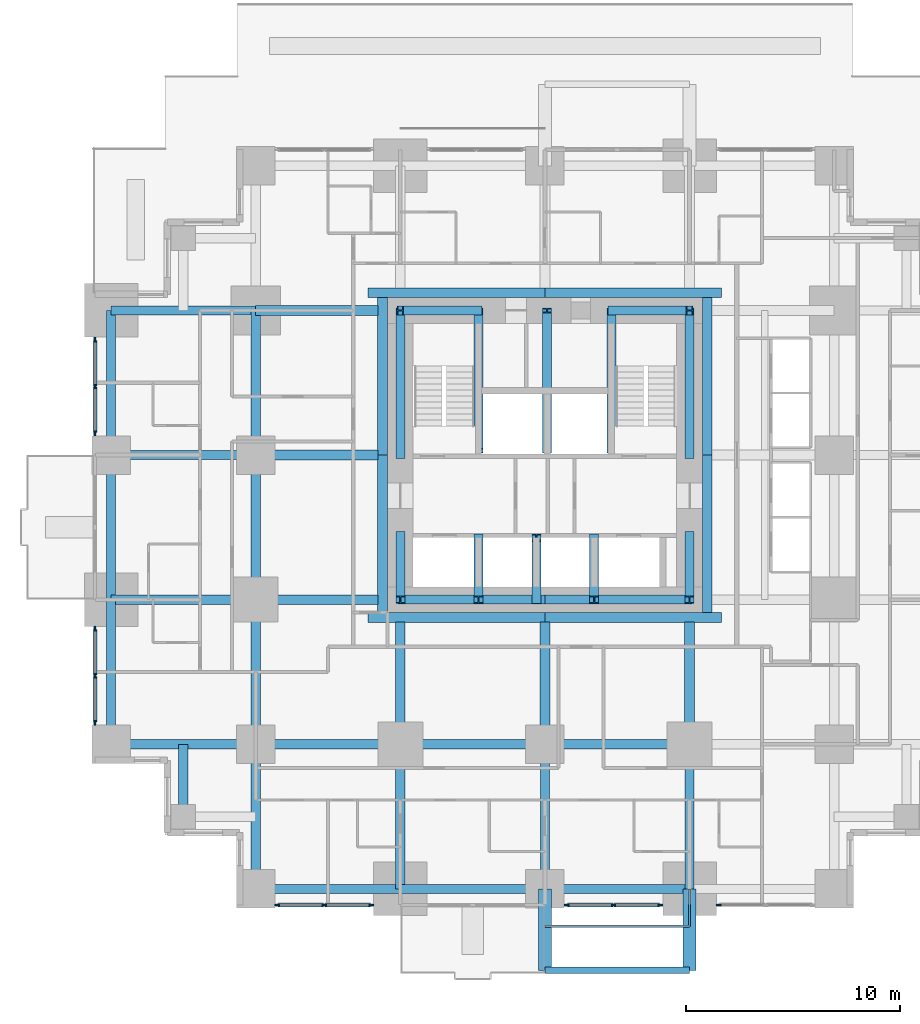
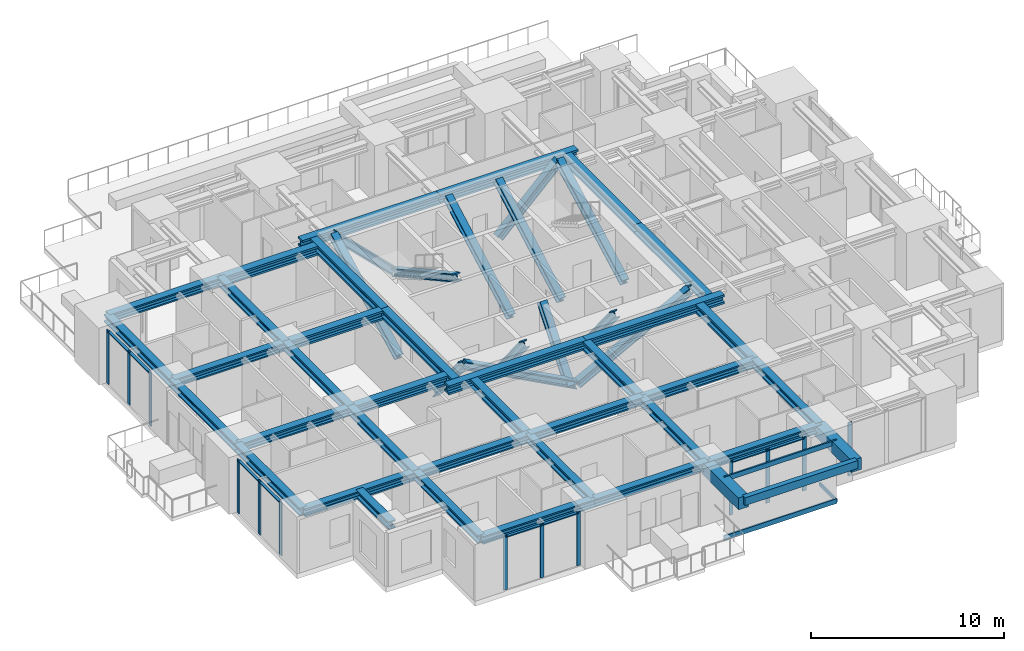
# One storey, part 2 of 12: 38 beams, 38 members, 5 elements without a shape of their own.
"""IFC4 building model written with IfcOpenShell, lengths in metres."""

from ifc_helpers import new_model, si_unit, direction, frame, origin, origin_2d, place, context, subcontext, project, spatial, rectangle, hollow_rectangle, i_section, extrude, material, material_profile, profile_set, type_object, element, aggregate, save


model = new_model("IFC4")

# Units and contexts
model_context = context("Model", 3, precision=1e-05, world=origin(), true_north=direction((0.0, 1.0)))
body_context = subcontext(model_context, "Body", "Model", "MODEL_VIEW")
ifc_project = project(units=[si_unit("LENGTHUNIT", "METRE"), si_unit("AREAUNIT", "SQUARE_METRE"), si_unit("VOLUMEUNIT", "CUBIC_METRE"), si_unit("PLANEANGLEUNIT", "RADIAN"), si_unit("MASSUNIT", "GRAM", prefix="KILO")], contexts=[model_context])

# Site, building, storey
site_placement = place(None, origin())
site = spatial("IfcSite", under=ifc_project, at=site_placement, CompositionType="ELEMENT")
building_placement = place(site_placement, origin())
building = spatial("IfcBuilding", under=site, at=building_placement, Name="Nyansa Garden Tower", CompositionType="ELEMENT")
storey_placement = place(building_placement, frame((0.0, 0.0, 80.10009765625)))
storey = spatial("IfcBuildingStorey", under=building, at=storey_placement, Name="L21", CompositionType="ELEMENT", Elevation=80.10009765625)

# Beams
ifc_material_1 = material(Name="Concrete C70/85", Category="concrete")
ifc_material_profile_1 = material_profile(ifc_material_1, rectangle(XDim=0.60009765625, YDim=0.75, at=origin_2d()), Name="RC 600x750")
ifc_profile_set_1 = profile_set([ifc_material_profile_1], Name="Concrete C70/85")
beam_type_1 = type_object("IfcBeamType", Name="Balcony cantilever beam CB1 RC 600x750", PredefinedType="BEAM", material=ifc_profile_set_1)
for number, where, z_axis, x_axis, name in (
    (1, (20.25, 0.0, 2.98486328125), (0.0, -1.0, 0.0), (1.0, 0.0, 0.0), "Balcony cantilever beam L22"),
    (2, (27.0, 0.0, 2.98486328125), (0.0, -1.0, 0.0), (1.0, 0.0, 0.0), "Balcony cantilever beam L22"),
):
    element("IfcBeam", number, at=place(storey_placement, frame(where, z_axis=z_axis, x_axis=x_axis)), inside=storey, type_object=beam_type_1, Name=name, PredefinedType="BEAM", context=body_context, shape_type="SweptSolid", body=[
        extrude(rectangle(XDim=0.60009765625, YDim=0.75, at=origin_2d()), origin(), (0.0, 0.0, 1.0), 3.800048828125),
    ])
ifc_material_2 = material(Name="Concrete C70/85", Category="concrete")
ifc_material_profile_2 = material_profile(ifc_material_2, rectangle(XDim=0.300048828125, YDim=0.5, at=origin_2d()), Name="RC 300x500")
ifc_profile_set_2 = profile_set([ifc_material_profile_2], Name="Concrete C70/85")
beam_type_2 = type_object("IfcBeamType", Name="Balcony edge beam BE1 RC 300x500", PredefinedType="BEAM", material=ifc_profile_set_2)
beam_1_placement = place(storey_placement, frame((20.25, -3.800048828125, 3.10986328125), z_axis=(1.0, 0.0, 0.0), x_axis=(0.0, 1.0, 0.0)))
element("IfcBeam", 3, at=beam_1_placement, inside=storey, type_object=beam_type_2, Name="Balcony edge beam L22", PredefinedType="BEAM", context=body_context, shape_type="SweptSolid", body=[
    extrude(rectangle(XDim=0.300048828125, YDim=0.5, at=origin_2d()), origin(), (0.0, 0.0, 1.0), 6.75),
])

# Curtain wall, members
ifc_material_3 = material(Name="Black anodised aluminium, dark tinted double glazing", Category="aluminium")
curtain_wall_type = type_object("IfcCurtainWallType", Name="Inner skin curtain wall ISW-B", PredefinedType="USERDEFINED", material=ifc_material_3)
curtain_wall_1_placement = place(storey_placement, origin())
curtain_wall_1 = element("IfcCurtainWall", 4, at=curtain_wall_1_placement, inside=storey, type_object=curtain_wall_type, Name="Inner skin curtain wall L21 W", ObjectType="UNITISED CURTAIN WALL", PredefinedType="USERDEFINED")
ifc_material_4 = material(Name="Black anodised aluminium", Category="aluminium")
ifc_material_profile_3 = material_profile(ifc_material_4, rectangle(XDim=0.06494140625, YDim=0.22509765625, at=origin_2d()), Name="Mullion 225x65")
ifc_profile_set_3 = profile_set([ifc_material_profile_3], Name="Black anodised aluminium")
member_type_1 = type_object("IfcMemberType", Name="Mullion ISW-B 225x65", PredefinedType="MULLION", material=ifc_profile_set_3)
member_1_placement = place(storey_placement, frame((-0.75, 12.137451171875, 0.0), z_axis=(0.0, 0.0, 1.0), x_axis=(1.0, 0.0, 0.0)))
member_1 = element("IfcMember", 5, at=member_1_placement, type_object=member_type_1, Name="ISW-B mullion 1", PredefinedType="MULLION", context=body_context, shape_type="SweptSolid", body=[
    extrude(rectangle(XDim=0.06494140625, YDim=0.22509765625, at=origin_2d()), origin(), (0.0, 0.0, 1.0), 3.375),
])
member_2_placement = place(storey_placement, frame((-0.75, 9.949951171875, 0.0), z_axis=(0.0, 0.0, 1.0), x_axis=(1.0, 0.0, 0.0)))
member_2 = element("IfcMember", 6, at=member_2_placement, type_object=member_type_1, Name="ISW-B mullion 2", PredefinedType="MULLION", context=body_context, shape_type="SweptSolid", body=[
    extrude(rectangle(XDim=0.06494140625, YDim=0.22509765625, at=origin_2d()), origin(), (0.0, 0.0, 1.0), 3.375),
])
member_3_placement = place(storey_placement, frame((-0.75, 7.762451171875, 0.0), z_axis=(0.0, 0.0, 1.0), x_axis=(1.0, 0.0, 0.0)))
member_3 = element("IfcMember", 7, at=member_3_placement, type_object=member_type_1, Name="ISW-B mullion 3", PredefinedType="MULLION", context=body_context, shape_type="SweptSolid", body=[
    extrude(rectangle(XDim=0.06494140625, YDim=0.22509765625, at=origin_2d()), origin(), (0.0, 0.0, 1.0), 3.375),
])

curtain_wall_2_placement = place(storey_placement, origin())
curtain_wall_2 = element("IfcCurtainWall", 8, at=curtain_wall_2_placement, inside=storey, type_object=curtain_wall_type, Name="Inner skin curtain wall L21 W", ObjectType="UNITISED CURTAIN WALL", PredefinedType="USERDEFINED")
member_4_placement = place(storey_placement, frame((-0.75, 25.637451171875, 0.0), z_axis=(0.0, 0.0, 1.0), x_axis=(1.0, 0.0, 0.0)))
member_4 = element("IfcMember", 9, at=member_4_placement, type_object=member_type_1, Name="ISW-B mullion 1", PredefinedType="MULLION", context=body_context, shape_type="SweptSolid", body=[
    extrude(rectangle(XDim=0.06494140625, YDim=0.22509765625, at=origin_2d()), origin(), (0.0, 0.0, 1.0), 3.375),
])
member_5_placement = place(storey_placement, frame((-0.75, 23.449951171875, 0.0), z_axis=(0.0, 0.0, 1.0), x_axis=(1.0, 0.0, 0.0)))
member_5 = element("IfcMember", 10, at=member_5_placement, type_object=member_type_1, Name="ISW-B mullion 2", PredefinedType="MULLION", context=body_context, shape_type="SweptSolid", body=[
    extrude(rectangle(XDim=0.06494140625, YDim=0.22509765625, at=origin_2d()), origin(), (0.0, 0.0, 1.0), 3.375),
])
member_6_placement = place(storey_placement, frame((-0.75, 21.262451171875, 0.0), z_axis=(0.0, 0.0, 1.0), x_axis=(1.0, 0.0, 0.0)))
member_6 = element("IfcMember", 11, at=member_6_placement, type_object=member_type_1, Name="ISW-B mullion 3", PredefinedType="MULLION", context=body_context, shape_type="SweptSolid", body=[
    extrude(rectangle(XDim=0.06494140625, YDim=0.22509765625, at=origin_2d()), origin(), (0.0, 0.0, 1.0), 3.375),
])

curtain_wall_3_placement = place(storey_placement, origin())
curtain_wall_3 = element("IfcCurtainWall", 12, at=curtain_wall_3_placement, inside=storey, type_object=curtain_wall_type, Name="Inner skin curtain wall L21 S", ObjectType="UNITISED CURTAIN WALL", PredefinedType="USERDEFINED")
member_7_placement = place(storey_placement, frame((7.762451171875, -0.75, 0.0), z_axis=(0.0, 0.0, 1.0), x_axis=(0.0, 1.0, 0.0)))
member_7 = element("IfcMember", 13, at=member_7_placement, type_object=member_type_1, Name="ISW-B mullion 1", PredefinedType="MULLION", context=body_context, shape_type="SweptSolid", body=[
    extrude(rectangle(XDim=0.06494140625, YDim=0.22509765625, at=origin_2d()), origin(), (0.0, 0.0, 1.0), 3.375),
])
member_8_placement = place(storey_placement, frame((9.949951171875, -0.75, 0.0), z_axis=(0.0, 0.0, 1.0), x_axis=(0.0, 1.0, 0.0)))
member_8 = element("IfcMember", 14, at=member_8_placement, type_object=member_type_1, Name="ISW-B mullion 2", PredefinedType="MULLION", context=body_context, shape_type="SweptSolid", body=[
    extrude(rectangle(XDim=0.06494140625, YDim=0.22509765625, at=origin_2d()), origin(), (0.0, 0.0, 1.0), 3.375),
])
member_9_placement = place(storey_placement, frame((12.137451171875, -0.75, 0.0), z_axis=(0.0, 0.0, 1.0), x_axis=(0.0, 1.0, 0.0)))
member_9 = element("IfcMember", 15, at=member_9_placement, type_object=member_type_1, Name="ISW-B mullion 3", PredefinedType="MULLION", context=body_context, shape_type="SweptSolid", body=[
    extrude(rectangle(XDim=0.06494140625, YDim=0.22509765625, at=origin_2d()), origin(), (0.0, 0.0, 1.0), 3.375),
])

curtain_wall_4_placement = place(storey_placement, origin())
curtain_wall_4 = element("IfcCurtainWall", 16, at=curtain_wall_4_placement, inside=storey, type_object=curtain_wall_type, Name="Inner skin curtain wall L21 S", ObjectType="UNITISED CURTAIN WALL", PredefinedType="USERDEFINED")
member_10_placement = place(storey_placement, frame((21.262451171875, -0.75, 0.0), z_axis=(0.0, 0.0, 1.0), x_axis=(0.0, 1.0, 0.0)))
member_10 = element("IfcMember", 17, at=member_10_placement, type_object=member_type_1, Name="ISW-B mullion 1", PredefinedType="MULLION", context=body_context, shape_type="SweptSolid", body=[
    extrude(rectangle(XDim=0.06494140625, YDim=0.22509765625, at=origin_2d()), origin(), (0.0, 0.0, 1.0), 3.375),
])
member_11_placement = place(storey_placement, frame((23.449951171875, -0.75, 0.0), z_axis=(0.0, 0.0, 1.0), x_axis=(0.0, 1.0, 0.0)))
member_11 = element("IfcMember", 18, at=member_11_placement, type_object=member_type_1, Name="ISW-B mullion 2", PredefinedType="MULLION", context=body_context, shape_type="SweptSolid", body=[
    extrude(rectangle(XDim=0.06494140625, YDim=0.22509765625, at=origin_2d()), origin(), (0.0, 0.0, 1.0), 3.375),
])
member_12_placement = place(storey_placement, frame((25.637451171875, -0.75, 0.0), z_axis=(0.0, 0.0, 1.0), x_axis=(0.0, 1.0, 0.0)))
member_12 = element("IfcMember", 19, at=member_12_placement, type_object=member_type_1, Name="ISW-B mullion 3", PredefinedType="MULLION", context=body_context, shape_type="SweptSolid", body=[
    extrude(rectangle(XDim=0.06494140625, YDim=0.22509765625, at=origin_2d()), origin(), (0.0, 0.0, 1.0), 3.375),
])

# Curtain wall, member
curtain_wall_5_placement = place(storey_placement, origin())
curtain_wall_5 = element("IfcCurtainWall", 20, at=curtain_wall_5_placement, inside=storey, type_object=curtain_wall_type, Name="Inner skin curtain wall L21 S", ObjectType="UNITISED CURTAIN WALL", PredefinedType="USERDEFINED")
member_13_placement = place(storey_placement, frame((28.362548828125, -0.75, 0.0), z_axis=(0.0, 0.0, 1.0), x_axis=(0.0, 1.0, 0.0)))
member_13 = element("IfcMember", 21, at=member_13_placement, type_object=member_type_1, Name="ISW-B mullion 1", PredefinedType="MULLION", context=body_context, shape_type="SweptSolid", body=[
    extrude(rectangle(XDim=0.06494140625, YDim=0.22509765625, at=origin_2d()), origin(), (0.0, 0.0, 1.0), 3.375),
])
aggregate(curtain_wall_5, [member_13])

# Members
ifc_material_5 = material(Name="Steel S355, black powder coated", Category="steel")
ifc_material_profile_4 = material_profile(ifc_material_5, hollow_rectangle(XDim=0.10009765625, YDim=0.199951171875, WallThickness=0.008056640625, at=origin_2d()), Name="RHS 200x100x8")
ifc_profile_set_4 = profile_set([ifc_material_profile_4], Name="Steel S355, black powder coated")
member_type_2 = type_object("IfcMemberType", Name="Outer skin bracket arm RHS 200x100x8", PredefinedType="USERDEFINED", material=ifc_profile_set_4)
member_14_placement = place(storey_placement, frame((27.0, 0.0, -0.5), z_axis=(0.0, -1.0, 0.0), x_axis=(1.0, 0.0, 0.0)))
element("IfcMember", 22, at=member_14_placement, inside=storey, type_object=member_type_2, Name="Outer skin bracket arm", ObjectType="OUTER SKIN BRACKET", PredefinedType="USERDEFINED", context=body_context, shape_type="SweptSolid", body=[
    extrude(hollow_rectangle(XDim=0.10009765625, YDim=0.199951171875, WallThickness=0.008056640625, at=origin_2d()), origin(), (0.0, 0.0, 1.0), 1.75),
])
ifc_material_6 = material(Name="Steel S355, black powder coated", Category="steel")
ifc_material_profile_5 = material_profile(ifc_material_6, hollow_rectangle(XDim=0.10009765625, YDim=0.300048828125, WallThickness=0.010009765625, at=origin_2d()), Name="RHS 300x100x10")
ifc_profile_set_5 = profile_set([ifc_material_profile_5], Name="Steel S355, black powder coated")
member_type_3 = type_object("IfcMemberType", Name="Outer skin rail RHS 300x100x10", PredefinedType="USERDEFINED", material=ifc_profile_set_5)
for number, where, z_axis, x_axis, name in (
    (23, (20.25, -1.75, -0.5), (1.0, 0.0, 0.0), (0.0, 1.0, 0.0), "Outer skin rail L21"),
    (24, (20.25, -1.75, 3.224853515625), (1.0, 0.0, 0.0), (0.0, 1.0, 0.0), "Outer skin rail L21 head"),
):
    element("IfcMember", number, at=place(storey_placement, frame(where, z_axis=z_axis, x_axis=x_axis)), inside=storey, type_object=member_type_3, Name=name, ObjectType="OUTER SKIN RAIL", PredefinedType="USERDEFINED", context=body_context, shape_type="SweptSolid", body=[
        extrude(hollow_rectangle(XDim=0.10009765625, YDim=0.300048828125, WallThickness=0.010009765625, at=origin_2d()), origin(), (0.0, 0.0, 1.0), 6.75),
    ])
ifc_material_7 = material(Name="Steel S355", Category="steel")
ifc_material_profile_6 = material_profile(ifc_material_7, i_section(OverallWidth=0.41796875, OverallDepth=0.455078125, WebThickness=0.0419921875, FlangeThickness=0.067626953125, FilletRadius=0.014892578125, at=origin_2d()), Name="HD 400x463")
ifc_profile_set_6 = profile_set([ifc_material_profile_6], Name="Steel S355")
member_type_4 = type_object("IfcMemberType", Name="Perimeter brace HD 400x463", PredefinedType="BRACE", material=ifc_profile_set_6)
for number, where, z_axis, x_axis, name in (
    (25, (20.25, 13.5, 0.0), (-0.882360891967, 0.0, 0.470573327259), (0.0, -1.0, 0.0), "Core brace CS1 L21"),
    (26, (20.25, 13.5, 0.0), (0.882360891967, 0.0, 0.470573327259), (0.0, 1.0, 0.0), "Core brace CS2 L21"),
):
    element("IfcMember", number, at=place(storey_placement, frame(where, z_axis=z_axis, x_axis=x_axis)), inside=storey, type_object=member_type_4, Name=name, PredefinedType="BRACE", context=body_context, shape_type="SweptSolid", body=[
        extrude(i_section(OverallWidth=0.41796875, OverallDepth=0.455078125, WebThickness=0.0419921875, FlangeThickness=0.067626953125, FilletRadius=0.014892578125, at=origin_2d()), origin(), (0.0, 0.0, 1.0), 7.64990234375),
    ])
for number, where, z_axis, x_axis, name in (
    (27, (17.14990234375, 27.0, 0.0), (-0.711971340796, 0.0, 0.702208523079), (0.0, -1.0, 0.0), "Core brace CN3 L21"),
    (28, (23.35009765625, 27.0, 0.0), (0.711971340796, 0.0, 0.702208523079), (0.0, 1.0, 0.0), "Core brace CN4 L21"),
):
    element("IfcMember", number, at=place(storey_placement, frame(where, z_axis=z_axis, x_axis=x_axis)), inside=storey, type_object=member_type_4, Name=name, PredefinedType="BRACE", context=body_context, shape_type="SweptSolid", body=[
        extrude(i_section(OverallWidth=0.41796875, OverallDepth=0.455078125, WebThickness=0.0419921875, FlangeThickness=0.067626953125, FilletRadius=0.014892578125, at=origin_2d()), origin(), (0.0, 0.0, 1.0), 5.12646484375),
    ])
member_15_placement = place(storey_placement, frame((13.5, 16.5, 0.0), z_axis=(0.0, -0.640199773186, 0.768208468069), x_axis=(1.0, 0.0, 0.0)))
element("IfcMember", 29, at=member_15_placement, inside=storey, type_object=member_type_4, Name="Core brace CW5 L21", PredefinedType="BRACE", context=body_context, shape_type="SweptSolid", body=[
    extrude(i_section(OverallWidth=0.41796875, OverallDepth=0.455078125, WebThickness=0.0419921875, FlangeThickness=0.067626953125, FilletRadius=0.014892578125, at=origin_2d()), origin(), (0.0, 0.0, 1.0), 4.68603515625),
])
member_16_placement = place(storey_placement, frame((13.5, 20.199951171875, 0.0), z_axis=(0.0, 0.883797178129, 0.467870225524), x_axis=(-1.0, 0.0, 0.0)))
element("IfcMember", 30, at=member_16_placement, inside=storey, type_object=member_type_4, Name="Core brace CW6 L21", PredefinedType="BRACE", context=body_context, shape_type="SweptSolid", body=[
    extrude(i_section(OverallWidth=0.41796875, OverallDepth=0.455078125, WebThickness=0.0419921875, FlangeThickness=0.067626953125, FilletRadius=0.014892578125, at=origin_2d()), origin(), (0.0, 0.0, 1.0), 7.694091796875),
])
member_17_placement = place(storey_placement, frame((27.0, 16.5, 0.0), z_axis=(0.0, -0.640199773186, 0.768208468069), x_axis=(1.0, 0.0, 0.0)))
element("IfcMember", 31, at=member_17_placement, inside=storey, type_object=member_type_4, Name="Core brace CE7 L21", PredefinedType="BRACE", context=body_context, shape_type="SweptSolid", body=[
    extrude(i_section(OverallWidth=0.41796875, OverallDepth=0.455078125, WebThickness=0.0419921875, FlangeThickness=0.067626953125, FilletRadius=0.014892578125, at=origin_2d()), origin(), (0.0, 0.0, 1.0), 4.68603515625),
])
member_18_placement = place(storey_placement, frame((27.0, 20.199951171875, 0.0), z_axis=(0.0, 0.883797178129, 0.467870225524), x_axis=(-1.0, 0.0, 0.0)))
element("IfcMember", 32, at=member_18_placement, inside=storey, type_object=member_type_4, Name="Core brace CE8 L21", PredefinedType="BRACE", context=body_context, shape_type="SweptSolid", body=[
    extrude(i_section(OverallWidth=0.41796875, OverallDepth=0.455078125, WebThickness=0.0419921875, FlangeThickness=0.067626953125, FilletRadius=0.014892578125, at=origin_2d()), origin(), (0.0, 0.0, 1.0), 7.694091796875),
])
for number, where, z_axis, x_axis, name in (
    (33, (17.14990234375, 27.0, 0.0), (0.0, -0.876366901673, 0.481644115143), (1.0, 0.0, 0.0), "Core brace CWS9 L21"),
    (34, (23.35009765625, 20.449951171875, 0.0), (0.0, 0.876366901673, 0.481644115143), (-1.0, 0.0, 0.0), "Core brace CES10 L21"),
):
    element("IfcMember", number, at=place(storey_placement, frame(where, z_axis=z_axis, x_axis=x_axis)), inside=storey, type_object=member_type_4, Name=name, PredefinedType="BRACE", context=body_context, shape_type="SweptSolid", body=[
        extrude(i_section(OverallWidth=0.41796875, OverallDepth=0.455078125, WebThickness=0.0419921875, FlangeThickness=0.067626953125, FilletRadius=0.014892578125, at=origin_2d()), origin(), (0.0, 0.0, 1.0), 7.47412109375),
    ])
for number, where, z_axis, x_axis, name in (
    (35, (17.14990234375, 16.39990234375, 0.0), (0.0, -0.627332207022, 0.778751758928), (1.0, 0.0, 0.0), "Core brace CSW11 L21"),
    (36, (19.85009765625, 13.5, 0.0), (0.0, 0.627332207022, 0.778751758928), (-1.0, 0.0, 0.0), "Core brace CSW12 L21"),
    (37, (22.550048828125, 16.39990234375, 0.0), (0.0, -0.627332207022, 0.778751758928), (1.0, 0.0, 0.0), "Core brace CSW13 L21"),
):
    element("IfcMember", number, at=place(storey_placement, frame(where, z_axis=z_axis, x_axis=x_axis)), inside=storey, type_object=member_type_4, Name=name, PredefinedType="BRACE", context=body_context, shape_type="SweptSolid", body=[
        extrude(i_section(OverallWidth=0.41796875, OverallDepth=0.455078125, WebThickness=0.0419921875, FlangeThickness=0.067626953125, FilletRadius=0.014892578125, at=origin_2d()), origin(), (0.0, 0.0, 1.0), 4.62255859375),
    ])
member_19_placement = place(storey_placement, frame((20.35009765625, 20.449951171875, 0.0), z_axis=(0.0, 0.876366901673, 0.481644115143), x_axis=(-1.0, 0.0, 0.0)))
element("IfcMember", 38, at=member_19_placement, inside=storey, type_object=member_type_4, Name="Core brace CNW14 L21", PredefinedType="BRACE", context=body_context, shape_type="SweptSolid", body=[
    extrude(i_section(OverallWidth=0.41796875, OverallDepth=0.455078125, WebThickness=0.0419921875, FlangeThickness=0.067626953125, FilletRadius=0.014892578125, at=origin_2d()), origin(), (0.0, 0.0, 1.0), 7.47412109375),
])

# Beams
ifc_material_8 = material(Name="Steel S355", Category="steel")
ifc_material_profile_7 = material_profile(ifc_material_8, i_section(OverallWidth=0.431884765625, OverallDepth=0.498046875, WebThickness=0.0556640625, FlangeThickness=0.0888671875, FilletRadius=0.014892578125, at=origin_2d()), Name="HD 400x744")
ifc_profile_set_7 = profile_set([ifc_material_profile_7], Name="Steel S355")
beam_type_3 = type_object("IfcBeamType", Name="Steel beam SBB2-744 HD 400x744", PredefinedType="BEAM", material=ifc_profile_set_7)
for number, where, z_axis, x_axis, name in (
    (39, (0.0, 6.75, 3.1259765625), (1.0, 0.0, 0.0), (0.0, 1.0, 0.0), "Steel beam 2/E-3/E L22"),
    (40, (0.0, 13.5, 3.1259765625), (1.0, 0.0, 0.0), (0.0, 1.0, 0.0), "Steel beam 2/F-3/F L22"),
    (41, (0.0, 20.25, 3.1259765625), (1.0, 0.0, 0.0), (0.0, 1.0, 0.0), "Steel beam 2/G-3/G L22"),
    (42, (0.0, 27.0, 3.1259765625), (1.0, 0.0, 0.0), (0.0, 1.0, 0.0), "Steel beam 2/H-3/H L22"),
    (43, (6.75, 0.0, 3.1259765625), (0.0, 1.0, 0.0), (-1.0, 0.0, 0.0), "Steel beam 3/D-3/E L22"),
    (44, (6.75, 6.75, 3.1259765625), (0.0, 1.0, 0.0), (-1.0, 0.0, 0.0), "Steel beam 3/E-3/F L22"),
    (45, (6.75, 6.75, 3.1259765625), (1.0, 0.0, 0.0), (0.0, 1.0, 0.0), "Steel beam 3/E-4/E L22"),
    (46, (6.75, 13.5, 3.1259765625), (0.0, 1.0, 0.0), (-1.0, 0.0, 0.0), "Steel beam 3/F-3/G L22"),
    (47, (6.75, 20.25, 3.1259765625), (0.0, 1.0, 0.0), (-1.0, 0.0, 0.0), "Steel beam 3/G-3/H L22"),
    (48, (13.5, 0.0, 3.1259765625), (0.0, 1.0, 0.0), (-1.0, 0.0, 0.0), "Steel beam 4/D-4/E L22"),
    (49, (13.5, 6.75, 3.1259765625), (1.0, 0.0, 0.0), (0.0, 1.0, 0.0), "Steel beam 4/E-5/E L22"),
    (50, (20.25, 0.0, 3.1259765625), (0.0, 1.0, 0.0), (-1.0, 0.0, 0.0), "Steel beam 5/D-5/E L22"),
    (51, (20.25, 6.75, 3.1259765625), (1.0, 0.0, 0.0), (0.0, 1.0, 0.0), "Steel beam 5/E-6/E L22"),
    (52, (27.0, 0.0, 3.1259765625), (0.0, 1.0, 0.0), (-1.0, 0.0, 0.0), "Steel beam 6/D-6/E L22"),
):
    element("IfcBeam", number, at=place(storey_placement, frame(where, z_axis=z_axis, x_axis=x_axis)), inside=storey, type_object=beam_type_3, Name=name, PredefinedType="BEAM", context=body_context, shape_type="SweptSolid", body=[
        extrude(i_section(OverallWidth=0.431884765625, OverallDepth=0.498046875, WebThickness=0.0556640625, FlangeThickness=0.0888671875, FilletRadius=0.014892578125, at=origin_2d()), origin(), (0.0, 0.0, 1.0), 6.75),
    ])
ifc_material_9 = material(Name="Steel S355", Category="steel")
ifc_material_profile_8 = material_profile(ifc_material_9, i_section(OverallWidth=0.4541015625, OverallDepth=0.569091796875, WebThickness=0.077880859375, FlangeThickness=0.125, FilletRadius=0.014892578125, at=origin_2d()), Name="HD 400x1086")
ifc_profile_set_8 = profile_set([ifc_material_profile_8], Name="Steel S355")
beam_type_4 = type_object("IfcBeamType", Name="Steel beam SCL-1086 HD 400x1086", PredefinedType="BEAM", material=ifc_profile_set_8)
for number, where, z_axis, x_axis, name in (
    (53, (6.75, 13.5, 3.09033203125), (1.0, 0.0, 0.0), (0.0, 1.0, 0.0), "Steel beam 3/F-12.450/F L22"),
    (54, (6.75, 20.25, 3.09033203125), (1.0, 0.0, 0.0), (0.0, 1.0, 0.0), "Steel beam 3/G-12.450/G L22"),
    (55, (6.75, 27.0, 3.09033203125), (1.0, 0.0, 0.0), (0.0, 1.0, 0.0), "Steel beam 3/H-12.450/H L22"),
    (56, (13.5, 6.75, 3.09033203125), (0.0, 1.0, 0.0), (-1.0, 0.0, 0.0), "Steel beam 4/E-4/12.450 L22"),
    (57, (20.25, 6.75, 3.09033203125), (0.0, 1.0, 0.0), (-1.0, 0.0, 0.0), "Steel beam 5/E-5/12.450 L22"),
    (58, (27.0, 6.75, 3.09033203125), (0.0, 1.0, 0.0), (-1.0, 0.0, 0.0), "Steel beam 6/E-6/12.450 L22"),
):
    element("IfcBeam", number, at=place(storey_placement, frame(where, z_axis=z_axis, x_axis=x_axis)), inside=storey, type_object=beam_type_4, Name=name, PredefinedType="BEAM", context=body_context, shape_type="SweptSolid", body=[
        extrude(i_section(OverallWidth=0.4541015625, OverallDepth=0.569091796875, WebThickness=0.077880859375, FlangeThickness=0.125, FilletRadius=0.014892578125, at=origin_2d()), origin(), (0.0, 0.0, 1.0), 5.699951171875),
    ])
for number, where, z_axis, x_axis, name in (
    (59, (12.0, 12.673095703125, 3.09033203125), (1.0, 0.0, 0.0), (0.0, 1.0, 0.0), "Steel core ledger beam S.1 L22"),
    (60, (20.25, 12.673095703125, 3.09033203125), (1.0, 0.0, 0.0), (0.0, 1.0, 0.0), "Steel core ledger beam S.2 L22"),
):
    element("IfcBeam", number, at=place(storey_placement, frame(where, z_axis=z_axis, x_axis=x_axis)), inside=storey, type_object=beam_type_4, Name=name, PredefinedType="BEAM", context=body_context, shape_type="SweptSolid", body=[
        extrude(i_section(OverallWidth=0.4541015625, OverallDepth=0.569091796875, WebThickness=0.077880859375, FlangeThickness=0.125, FilletRadius=0.014892578125, at=origin_2d()), origin(), (0.0, 0.0, 1.0), 8.25),
    ])
for number, where, z_axis, x_axis, name in (
    (61, (27.826904296875, 12.89990234375, 3.09033203125), (0.0, 1.0, 0.0), (-1.0, 0.0, 0.0), "Steel core ledger beam E.1 L22"),
    (62, (27.826904296875, 20.25, 3.09033203125), (0.0, 1.0, 0.0), (-1.0, 0.0, 0.0), "Steel core ledger beam E.2 L22"),
):
    element("IfcBeam", number, at=place(storey_placement, frame(where, z_axis=z_axis, x_axis=x_axis)), inside=storey, type_object=beam_type_4, Name=name, PredefinedType="BEAM", context=body_context, shape_type="SweptSolid", body=[
        extrude(i_section(OverallWidth=0.4541015625, OverallDepth=0.569091796875, WebThickness=0.077880859375, FlangeThickness=0.125, FilletRadius=0.014892578125, at=origin_2d()), origin(), (0.0, 0.0, 1.0), 7.35009765625),
    ])
for number, where, z_axis, x_axis, name in (
    (63, (28.5, 27.826904296875, 3.09033203125), (-1.0, 0.0, 0.0), (0.0, -1.0, 0.0), "Steel core ledger beam N.1 L22"),
    (64, (20.25, 27.826904296875, 3.09033203125), (-1.0, 0.0, 0.0), (0.0, -1.0, 0.0), "Steel core ledger beam N.2 L22"),
):
    element("IfcBeam", number, at=place(storey_placement, frame(where, z_axis=z_axis, x_axis=x_axis)), inside=storey, type_object=beam_type_4, Name=name, PredefinedType="BEAM", context=body_context, shape_type="SweptSolid", body=[
        extrude(i_section(OverallWidth=0.4541015625, OverallDepth=0.569091796875, WebThickness=0.077880859375, FlangeThickness=0.125, FilletRadius=0.014892578125, at=origin_2d()), origin(), (0.0, 0.0, 1.0), 8.25),
    ])
for number, where, z_axis, x_axis, name in (
    (65, (12.673095703125, 27.60009765625, 3.09033203125), (0.0, -1.0, 0.0), (1.0, 0.0, 0.0), "Steel core ledger beam W.1 L22"),
    (66, (12.673095703125, 20.25, 3.09033203125), (0.0, -1.0, 0.0), (1.0, 0.0, 0.0), "Steel core ledger beam W.2 L22"),
):
    element("IfcBeam", number, at=place(storey_placement, frame(where, z_axis=z_axis, x_axis=x_axis)), inside=storey, type_object=beam_type_4, Name=name, PredefinedType="BEAM", context=body_context, shape_type="SweptSolid", body=[
        extrude(i_section(OverallWidth=0.4541015625, OverallDepth=0.569091796875, WebThickness=0.077880859375, FlangeThickness=0.125, FilletRadius=0.014892578125, at=origin_2d()), origin(), (0.0, 0.0, 1.0), 7.35009765625),
    ])
ifc_material_10 = material(Name="Steel S355", Category="steel")
ifc_material_profile_9 = material_profile(ifc_material_10, i_section(OverallWidth=0.431884765625, OverallDepth=0.498046875, WebThickness=0.0556640625, FlangeThickness=0.0888671875, FilletRadius=0.014892578125, at=origin_2d()), Name="HD 400x744")
ifc_profile_set_9 = profile_set([ifc_material_profile_9], Name="Steel S355")
beam_type_5 = type_object("IfcBeamType", Name="Steel beam SEBB-744 HD 400x744", PredefinedType="BEAM", material=ifc_profile_set_9)
for number, where, z_axis, x_axis, name in (
    (67, (0.0, 6.75, 3.1259765625), (0.0, 1.0, 0.0), (-1.0, 0.0, 0.0), "Steel edge beam 2/E-2/F L22"),
    (68, (0.0, 13.5, 3.1259765625), (0.0, 1.0, 0.0), (-1.0, 0.0, 0.0), "Steel edge beam 2/F-2/G L22"),
    (69, (0.0, 20.25, 3.1259765625), (0.0, 1.0, 0.0), (-1.0, 0.0, 0.0), "Steel edge beam 2/G-2/H L22"),
    (70, (6.75, 0.0, 3.1259765625), (1.0, 0.0, 0.0), (0.0, 1.0, 0.0), "Steel edge beam 3/D-4/D L22"),
    (71, (13.5, 0.0, 3.1259765625), (1.0, 0.0, 0.0), (0.0, 1.0, 0.0), "Steel edge beam 4/D-5/D L22"),
    (72, (20.25, 0.0, 3.1259765625), (1.0, 0.0, 0.0), (0.0, 1.0, 0.0), "Steel edge beam 5/D-6/D L22"),
):
    element("IfcBeam", number, at=place(storey_placement, frame(where, z_axis=z_axis, x_axis=x_axis)), inside=storey, type_object=beam_type_5, Name=name, PredefinedType="BEAM", context=body_context, shape_type="SweptSolid", body=[
        extrude(i_section(OverallWidth=0.431884765625, OverallDepth=0.498046875, WebThickness=0.0556640625, FlangeThickness=0.0888671875, FilletRadius=0.014892578125, at=origin_2d()), origin(), (0.0, 0.0, 1.0), 6.75),
    ])
ifc_material_11 = material(Name="Steel S355", Category="steel")
ifc_material_profile_10 = material_profile(ifc_material_11, i_section(OverallWidth=0.431884765625, OverallDepth=0.498046875, WebThickness=0.0556640625, FlangeThickness=0.0888671875, FilletRadius=0.014892578125, at=origin_2d()), Name="HD 400x744")
ifc_profile_set_10 = profile_set([ifc_material_profile_10], Name="Steel S355")
beam_type_6 = type_object("IfcBeamType", Name="Steel beam SSB1-744 HD 400x744", PredefinedType="BEAM", material=ifc_profile_set_10)
beam_2_placement = place(storey_placement, frame((3.375, 3.375, 3.1259765625), z_axis=(0.0, 1.0, 0.0), x_axis=(-1.0, 0.0, 0.0)))
element("IfcBeam", 73, at=beam_2_placement, inside=storey, type_object=beam_type_6, Name="Steel step beam 3.375/3.375 L22", PredefinedType="BEAM", context=body_context, shape_type="SweptSolid", body=[
    extrude(i_section(OverallWidth=0.431884765625, OverallDepth=0.498046875, WebThickness=0.0556640625, FlangeThickness=0.0888671875, FilletRadius=0.014892578125, at=origin_2d()), origin(), (0.0, 0.0, 1.0), 3.375),
])

# Member
ifc_material_12 = material(Name="Black anodised aluminium", Category="aluminium")
ifc_material_profile_11 = material_profile(ifc_material_12, rectangle(XDim=0.1650390625, YDim=0.06494140625, at=origin_2d()), Name="Transom 165x65")
ifc_profile_set_11 = profile_set([ifc_material_profile_11], Name="Black anodised aluminium")
member_type_5 = type_object("IfcMemberType", Name="Transom ISW-B 165x65", PredefinedType="USERDEFINED", material=ifc_profile_set_11)
member_20_placement = place(storey_placement, frame((-0.75, 12.10498046875, 3.34228515625), z_axis=(0.0, -1.0, 0.0), x_axis=(1.0, 0.0, 0.0)))
member_20 = element("IfcMember", 74, at=member_20_placement, type_object=member_type_5, Name="ISW-B transom 1", ObjectType="TRANSOM", PredefinedType="USERDEFINED", context=body_context, shape_type="SweptSolid", body=[
    extrude(rectangle(XDim=0.1650390625, YDim=0.06494140625, at=origin_2d()), origin(), (0.0, 0.0, 1.0), 2.12255859375),
])

member_21_placement = place(storey_placement, frame((-0.75, 9.91748046875, 3.34228515625), z_axis=(0.0, -1.0, 0.0), x_axis=(1.0, 0.0, 0.0)))
member_21 = element("IfcMember", 75, at=member_21_placement, type_object=member_type_5, Name="ISW-B transom 2", ObjectType="TRANSOM", PredefinedType="USERDEFINED", context=body_context, shape_type="SweptSolid", body=[
    extrude(rectangle(XDim=0.1650390625, YDim=0.06494140625, at=origin_2d()), origin(), (0.0, 0.0, 1.0), 2.12255859375),
])

aggregate(curtain_wall_1, [member_1, member_2, member_3, member_20, member_21])

member_22_placement = place(storey_placement, frame((-0.75, 25.60498046875, 3.34228515625), z_axis=(0.0, -1.0, 0.0), x_axis=(1.0, 0.0, 0.0)))
member_22 = element("IfcMember", 76, at=member_22_placement, type_object=member_type_5, Name="ISW-B transom 1", ObjectType="TRANSOM", PredefinedType="USERDEFINED", context=body_context, shape_type="SweptSolid", body=[
    extrude(rectangle(XDim=0.1650390625, YDim=0.06494140625, at=origin_2d()), origin(), (0.0, 0.0, 1.0), 2.12255859375),
])

member_23_placement = place(storey_placement, frame((-0.75, 23.41748046875, 3.34228515625), z_axis=(0.0, -1.0, 0.0), x_axis=(1.0, 0.0, 0.0)))
member_23 = element("IfcMember", 77, at=member_23_placement, type_object=member_type_5, Name="ISW-B transom 2", ObjectType="TRANSOM", PredefinedType="USERDEFINED", context=body_context, shape_type="SweptSolid", body=[
    extrude(rectangle(XDim=0.1650390625, YDim=0.06494140625, at=origin_2d()), origin(), (0.0, 0.0, 1.0), 2.12255859375),
])

aggregate(curtain_wall_2, [member_4, member_5, member_6, member_22, member_23])

member_24_placement = place(storey_placement, frame((7.794921875, -0.75, 3.34228515625), z_axis=(1.0, 0.0, 0.0), x_axis=(0.0, 1.0, 0.0)))
member_24 = element("IfcMember", 78, at=member_24_placement, type_object=member_type_5, Name="ISW-B transom 1", ObjectType="TRANSOM", PredefinedType="USERDEFINED", context=body_context, shape_type="SweptSolid", body=[
    extrude(rectangle(XDim=0.1650390625, YDim=0.06494140625, at=origin_2d()), origin(), (0.0, 0.0, 1.0), 2.12255859375),
])

member_25_placement = place(storey_placement, frame((9.982421875, -0.75, 3.34228515625), z_axis=(1.0, 0.0, 0.0), x_axis=(0.0, 1.0, 0.0)))
member_25 = element("IfcMember", 79, at=member_25_placement, type_object=member_type_5, Name="ISW-B transom 2", ObjectType="TRANSOM", PredefinedType="USERDEFINED", context=body_context, shape_type="SweptSolid", body=[
    extrude(rectangle(XDim=0.1650390625, YDim=0.06494140625, at=origin_2d()), origin(), (0.0, 0.0, 1.0), 2.12255859375),
])

aggregate(curtain_wall_3, [member_7, member_8, member_9, member_24, member_25])

member_26_placement = place(storey_placement, frame((21.294921875, -0.75, 3.34228515625), z_axis=(1.0, 0.0, 0.0), x_axis=(0.0, 1.0, 0.0)))
member_26 = element("IfcMember", 80, at=member_26_placement, type_object=member_type_5, Name="ISW-B transom 1", ObjectType="TRANSOM", PredefinedType="USERDEFINED", context=body_context, shape_type="SweptSolid", body=[
    extrude(rectangle(XDim=0.1650390625, YDim=0.06494140625, at=origin_2d()), origin(), (0.0, 0.0, 1.0), 2.12255859375),
])

member_27_placement = place(storey_placement, frame((23.482421875, -0.75, 3.34228515625), z_axis=(1.0, 0.0, 0.0), x_axis=(0.0, 1.0, 0.0)))
member_27 = element("IfcMember", 81, at=member_27_placement, type_object=member_type_5, Name="ISW-B transom 2", ObjectType="TRANSOM", PredefinedType="USERDEFINED", context=body_context, shape_type="SweptSolid", body=[
    extrude(rectangle(XDim=0.1650390625, YDim=0.06494140625, at=origin_2d()), origin(), (0.0, 0.0, 1.0), 2.12255859375),
])

aggregate(curtain_wall_4, [member_10, member_11, member_12, member_26, member_27])

save(model, "model.ifc")
